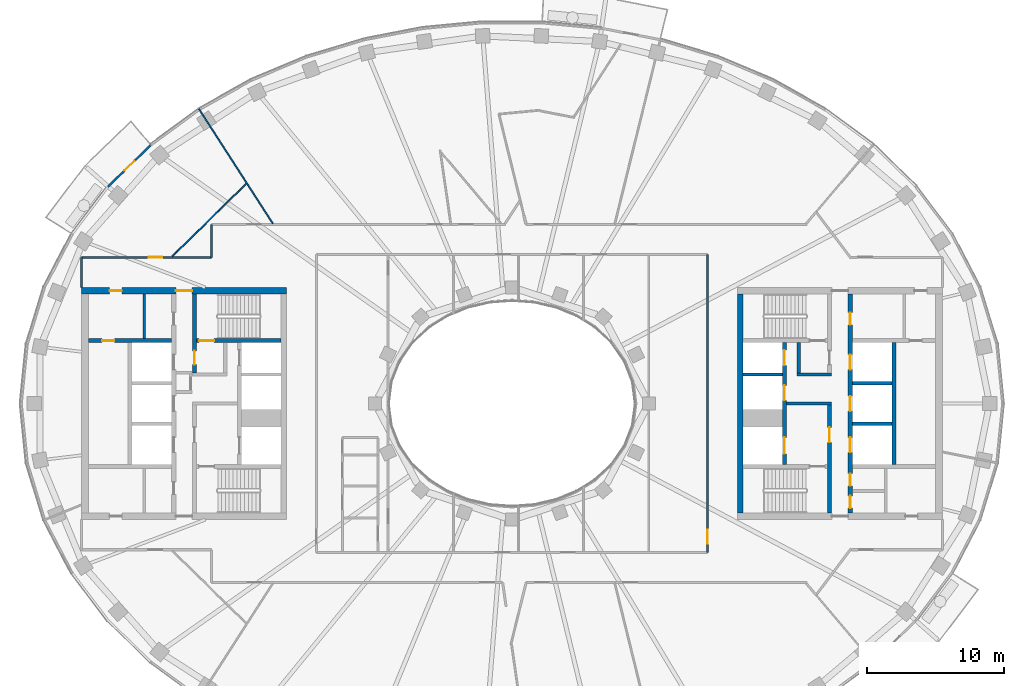
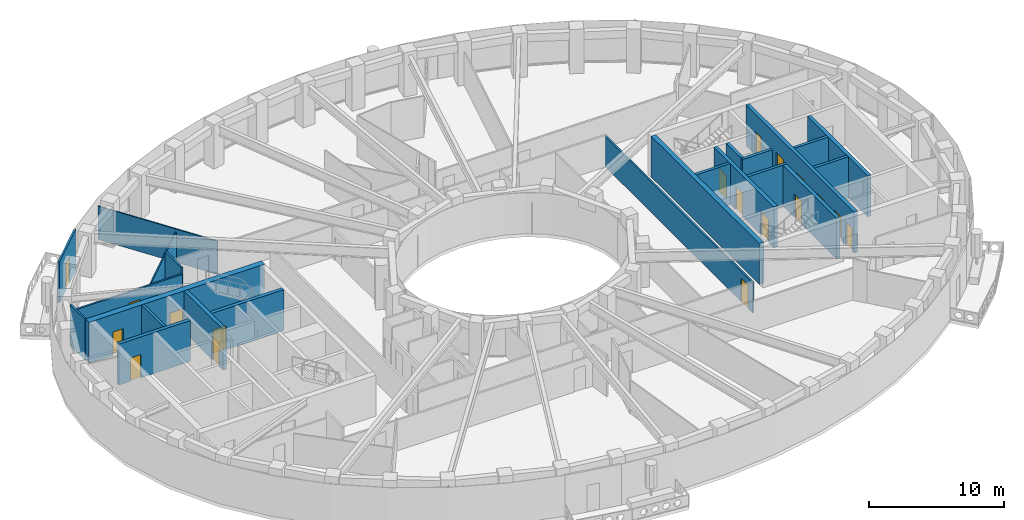
# One storey, part 5 of 16: 23 walls, 18 doors, 18 openings.
"""IFC4 building model written with IfcOpenShell, lengths in metres."""

import ifcopenshell
import ifcopenshell.guid

model = None  # the IFC model being written
_history = None  # IfcOwnerHistory: only IFC2X3 demands one
_inside = {}  # id of a spatial element -> (the spatial element, [elements in it])
_under = {}  # id of a project, library or spatial element -> (it, [spatial elements below it])
_declared = {}  # id of a project -> (the project, [libraries it declares])
_typed = {}  # id of a type object -> (the type object, [elements of that type])
_made_of = {}  # id of a material, layer set ... -> (it, [elements and type objects made of it])


def new_model(schema):
    """Start an empty IFC model of exactly this schema.

    Asked for "IFC4X3", IfcOpenShell would pick the latest addendum, in which some entities
    have other attributes; the version numbers below select the first issue.
    IFC2X3 requires an IfcOwnerHistory on every rooted entity: one is made here for all.
    """
    global model, _history
    if schema == "IFC4X3":
        model = ifcopenshell.file(schema_version=(4, 3, 0, 0))
    else:
        model = ifcopenshell.file(schema=schema)
    _inside.clear()
    _under.clear()
    _declared.clear()
    _typed.clear()
    _made_of.clear()
    _history = None
    if model.schema == "IFC2X3":
        org = make("IfcOrganization", Name="unknown")
        user = make(
            "IfcPersonAndOrganization",
            ThePerson=make("IfcPerson", FamilyName="unknown"),
            TheOrganization=org,
        )
        app = make(
            "IfcApplication",
            ApplicationDeveloper=org,
            Version="unknown",
            ApplicationFullName="unknown",
            ApplicationIdentifier="unknown",
        )
        _history = make(
            "IfcOwnerHistory",
            OwningUser=user,
            OwningApplication=app,
            ChangeAction="ADDED",
            CreationDate=0,
        )
    return model


def make(cls, **values):
    """One entity of the class cls with the attributes given. An attribute that is None is left unset."""
    return model.create_entity(
        cls, **{name: value for name, value in values.items() if value is not None}
    )


def rooted(cls, **values):
    """An entity with a GlobalId (a new one), such as an element, a storey or a relation."""
    return make(cls, GlobalId=ifcopenshell.guid.new(), OwnerHistory=_history, **values)


def si_unit(unit_type, name, prefix=None):
    """IfcSIUnit, for example si_unit("LENGTHUNIT", "METRE", prefix="MILLI")."""
    return make("IfcSIUnit", UnitType=unit_type, Prefix=prefix, Name=name)


def assignment(units):
    """IfcUnitAssignment: the units of a project."""
    return None if units is None else make("IfcUnitAssignment", Units=units)


def point(xyz):
    """IfcCartesianPoint."""
    return None if xyz is None else make("IfcCartesianPoint", Coordinates=xyz)


def direction(xyz):
    """IfcDirection."""
    return None if xyz is None else make("IfcDirection", DirectionRatios=xyz)


def frame(location, z_axis=None, x_axis=None):
    """IfcAxis2Placement3D, a coordinate frame: its origin and axes. An axis left out is left unset."""
    return make(
        "IfcAxis2Placement3D",
        Location=point(location),
        Axis=direction(z_axis),
        RefDirection=direction(x_axis),
    )


def frame_2d(location, x_axis=None):
    """IfcAxis2Placement2D, a coordinate frame in the plane: its origin and x axis."""
    return make(
        "IfcAxis2Placement2D", Location=point(location), RefDirection=direction(x_axis)
    )


def origin():
    """The frame at (0, 0, 0) with its axes left unset."""
    return frame((0.0, 0.0, 0.0))


def place(relative_to, where):
    """IfcLocalPlacement: puts the frame where relative to a parent placement (None: the world)."""
    return make(
        "IfcLocalPlacement", PlacementRelTo=relative_to, RelativePlacement=where
    )


def context(
    kind, dimensions, precision=None, world=None, true_north=None, identifier=None
):
    """IfcGeometricRepresentationContext, for example the 3D "Model" context."""
    return make(
        "IfcGeometricRepresentationContext",
        ContextIdentifier=identifier,
        ContextType=kind,
        CoordinateSpaceDimension=dimensions,
        Precision=precision,
        WorldCoordinateSystem=world,
        TrueNorth=true_north,
    )


def subcontext(parent, identifier, kind, view, scale=None):
    """IfcGeometricRepresentationSubContext, for example "Body" below "Model"."""
    return make(
        "IfcGeometricRepresentationSubContext",
        ContextIdentifier=identifier,
        ContextType=kind,
        ParentContext=parent,
        TargetScale=scale,
        TargetView=view,
    )


def project(units=None, contexts=None):
    """IfcProject with its units and contexts."""
    return rooted(
        "IfcProject",
        Name="project",
        RepresentationContexts=contexts,
        UnitsInContext=assignment(units),
    )


def spatial(cls, under=None, at=None, **own):
    """A site, building, storey or space (cls), placed at a placement, below another one or the project."""
    s = rooted(cls, ObjectPlacement=at, **own)
    if under is not None:
        _under.setdefault(under.id(), (under, []))[1].append(s)
    return s


def profile(cls, at=None, kind="AREA", **sizes):
    """A parametric profile (cls). Its sizes go by their IFC names, for example OverallWidth=200.0."""
    return make(cls, ProfileType=kind, Position=at, **sizes)


def rectangle(**sizes):
    """IfcRectangleProfileDef."""
    return profile("IfcRectangleProfileDef", **sizes)


def extrude(swept, where, along, depth):
    """IfcExtrudedAreaSolid: the profile swept, set in the frame where, extruded along a direction by depth."""
    return make(
        "IfcExtrudedAreaSolid",
        SweptArea=swept,
        Position=where,
        ExtrudedDirection=direction(along),
        Depth=depth,
    )


def shape(context_of_items, identifier, shape_type, items):
    """IfcShapeRepresentation: the items that make up one representation, for example the "Body"."""
    return make(
        "IfcShapeRepresentation",
        ContextOfItems=context_of_items,
        RepresentationIdentifier=identifier,
        RepresentationType=shape_type,
        Items=items,
    )


def material(Name=None, Category=None):
    """IfcMaterial."""
    return make("IfcMaterial", Name=Name, Category=Category)


def layer(
    of_material, thickness, ventilated=None, Name=None, Category=None, Priority=None
):
    """IfcMaterialLayer: one layer of a wall or slab, of a material (None: an air gap)."""
    return make(
        "IfcMaterialLayer",
        Material=of_material,
        LayerThickness=thickness,
        IsVentilated=ventilated,
        Name=Name,
        Category=Category,
        Priority=Priority,
    )


def layer_set(layers, Name=None):
    """IfcMaterialLayerSet."""
    return make("IfcMaterialLayerSet", MaterialLayers=layers, LayerSetName=Name)


def made_of(thing, what):
    """Note that an element or type object is made of a material, layer set ...; save() writes the relation."""
    if what is not None:
        _made_of.setdefault(what.id(), (what, []))[1].append(thing)
    return thing


def type_object(cls, material=None, **own):
    """A type object (cls), such as IfcWallType, which elements share."""
    return made_of(rooted(cls, **own), material)


def element(
    cls,
    number,
    at=None,
    inside=None,
    cuts=None,
    type_object=None,
    material=None,
    context=None,
    identifier="Body",
    shape_type=None,
    held_by="IfcProductDefinitionShape",
    body=None,
    shapes=None,
    **own,
):
    """One element of the class cls, such as IfcWall. Its Tag is "e" and its number.

    at: its placement. inside: the storey or other place that contains it. cuts: it is an
    opening in that element (IfcRelVoidsElement). A single representation is given by context,
    identifier, shape_type and body (its items); several are given by shapes. held_by: the class
    of the entity that holds the representations. save() writes the other relations.
    """
    e = rooted(cls, Tag="e%d" % number, ObjectPlacement=at, **own)
    if body is not None:
        shapes = [shape(context, identifier, shape_type, body)]
    if shapes is not None:
        e.Representation = make(held_by, Representations=shapes)
    if inside is not None:
        _inside.setdefault(inside.id(), (inside, []))[1].append(e)
    if cuts is not None:
        rooted(
            "IfcRelVoidsElement", RelatingBuildingElement=cuts, RelatedOpeningElement=e
        )
    if type_object is not None:
        _typed.setdefault(type_object.id(), (type_object, []))[1].append(e)
    return made_of(e, material)


def fill(opening, filler):
    """IfcRelFillsElement: the door or window that sits in an opening."""
    return rooted(
        "IfcRelFillsElement",
        RelatingOpeningElement=opening,
        RelatedBuildingElement=filler,
    )


def aggregate(whole, parts):
    """IfcRelAggregates: a whole, such as a stair, and the parts it consists of."""
    return rooted("IfcRelAggregates", RelatingObject=whole, RelatedObjects=parts)


def save(model, path):
    """Write the relations noted so far, then the file.

    IfcRelAggregates (storeys below a building ...), IfcRelContainedInSpatialStructure (elements
    in a storey), IfcRelDefinesByType, IfcRelAssociatesMaterial and IfcRelDeclares: one each for
    every whole, place, type object, material and project.
    """
    for whole, parts in _under.values():
        aggregate(whole, parts)
    for where, things in _inside.values():
        rooted(
            "IfcRelContainedInSpatialStructure",
            RelatedElements=things,
            RelatingStructure=where,
        )
    for kind, things in _typed.values():
        rooted("IfcRelDefinesByType", RelatedObjects=things, RelatingType=kind)
    for what, things in _made_of.values():
        rooted("IfcRelAssociatesMaterial", RelatedObjects=things, RelatingMaterial=what)
    for by, libraries in _declared.values():
        rooted("IfcRelDeclares", RelatingContext=by, RelatedDefinitions=libraries)
    model.write(path)


model = new_model("IFC4")

# Units and contexts
model_context = context("Model", 3, precision=1e-05, world=origin(), true_north=direction((0.0, 1.0)))
body_context = subcontext(model_context, "Body", "Model", "MODEL_VIEW")
ifc_project = project(units=[si_unit("LENGTHUNIT", "METRE"), si_unit("AREAUNIT", "SQUARE_METRE"), si_unit("VOLUMEUNIT", "CUBIC_METRE"), si_unit("PLANEANGLEUNIT", "RADIAN"), si_unit("MASSUNIT", "GRAM", prefix="KILO")], contexts=[model_context])

# Site, building, storey
site_placement = place(None, origin())
site = spatial("IfcSite", under=ifc_project, at=site_placement, CompositionType="ELEMENT")
building_placement = place(site_placement, origin())
building = spatial("IfcBuilding", under=site, at=building_placement, Name="Noorbagh Ring Tower", CompositionType="ELEMENT")
storey_placement = place(building_placement, frame((0.0, 0.0, 261.5)))
storey = spatial("IfcBuildingStorey", under=building, at=storey_placement, Name="L55", CompositionType="ELEMENT", Elevation=261.5)

# Walls
ifc_material_1 = material(Name="Gypsum board on steel studs", Category="steel")
ifc_layer_1 = layer(ifc_material_1, 0.199951171875)
ifc_layer_set_1 = layer_set([ifc_layer_1], Name="Gypsum board on steel studs")
wall_type_1 = type_object("IfcWallType", Name="CORE-PARTITION-200", PredefinedType="PARTITIONING", material=ifc_layer_set_1)
wall_1_placement = place(storey_placement, frame((-26.89990234375, 4.75, 0.0), z_axis=(0.0, 0.0, 1.0), x_axis=(0.0, 1.0, 0.0)))
element("IfcWall", 1, at=wall_1_placement, inside=storey, type_object=wall_type_1, Name="Core partition W", PredefinedType="PARTITIONING", context=body_context, shape_type="SweptSolid", body=[
    extrude(rectangle(XDim=3.25, YDim=0.199951171875, at=frame_2d((1.625, 0.0))), origin(), (0.0, 0.0, 1.0), 3.699951171875),
])
ifc_material_2 = material(Name="Concrete C60/75", Category="concrete")
ifc_layer_2 = layer(ifc_material_2, 0.25)
ifc_layer_set_2 = layer_set([ifc_layer_2], Name="Concrete C60/75")
wall_type_2 = type_object("IfcWallType", Name="CORE-WALL-250-C60-75-EI120", PredefinedType="SHEAR", material=ifc_layer_set_2)
for number, where, z_axis, x_axis, name in (
    (2, (16.89990234375, 2.125, 0.0), (0.0, 0.0, 1.0), (1.0, 0.0, 0.0), "Core wall E"),
    (3, (24.89990234375, -1.47509765625, 0.0), (0.0, 0.0, 1.0), (1.0, 0.0, 0.0), "Core wall E"),
    (4, (24.89990234375, 1.47509765625, 0.0), (0.0, 0.0, 1.0), (1.0, 0.0, 0.0), "Core wall E"),
):
    element("IfcWall", number, at=place(storey_placement, frame(where, z_axis=z_axis, x_axis=x_axis)), inside=storey, type_object=wall_type_2, Name=name, PredefinedType="SHEAR", context=body_context, shape_type="SweptSolid", body=[
        extrude(rectangle(XDim=2.900146484375, YDim=0.25, at=frame_2d((1.4501953125, 0.0))), origin(), (0.0, 0.0, 1.0), 3.699951171875),
    ])
ifc_material_3 = material(Name="Concrete C60/75", Category="concrete")
ifc_layer_3 = layer(ifc_material_3, 0.25)
ifc_layer_set_3 = layer_set([ifc_layer_3], Name="Concrete C60/75")
wall_type_3 = type_object("IfcWallType", Name="CORE-WALL-250-C60-75-EI240", PredefinedType="SHEAR", material=ifc_layer_set_3)
wall_2_placement = place(storey_placement, frame((20.10009765625, 0.0, 0.0), z_axis=(0.0, 0.0, 1.0), x_axis=(1.0, 0.0, 0.0)))
element("IfcWall", 5, at=wall_2_placement, inside=storey, type_object=wall_type_3, Name="Core wall E", PredefinedType="SHEAR", context=body_context, shape_type="SweptSolid", body=[
    extrude(rectangle(XDim=3.27978515625, YDim=0.25, at=frame_2d((1.639892578125, 0.0))), origin(), (0.0, 0.0, 1.0), 3.699951171875),
])
wall_3_placement = place(storey_placement, frame((20.85009765625, 2.125, 0.0), z_axis=(0.0, 0.0, 1.0), x_axis=(1.0, 0.0, 0.0)))
element("IfcWall", 6, at=wall_3_placement, inside=storey, type_object=wall_type_3, Name="Core wall E", PredefinedType="SHEAR", context=body_context, shape_type="SweptSolid", body=[
    extrude(rectangle(XDim=2.52978515625, YDim=0.25, at=frame_2d((1.264892578125, 0.0))), origin(), (0.0, 0.0, 1.0), 3.699951171875),
])
wall_4_placement = place(storey_placement, frame((20.97509765625, 2.25, 0.0), z_axis=(0.0, 0.0, 1.0), x_axis=(0.0, 1.0, 0.0)))
element("IfcWall", 7, at=wall_4_placement, inside=storey, type_object=wall_type_3, Name="Core wall E", PredefinedType="SHEAR", context=body_context, shape_type="SweptSolid", body=[
    extrude(rectangle(XDim=2.199951171875, YDim=0.25, at=frame_2d((1.10009765625, 0.0))), origin(), (0.0, 0.0, 1.0), 3.699951171875),
])
ifc_material_4 = material(Name="Concrete C60/75", Category="concrete")
ifc_layer_4 = layer(ifc_material_4, 0.300048828125)
ifc_layer_set_4 = layer_set([ifc_layer_4], Name="Concrete C60/75")
wall_type_4 = type_object("IfcWallType", Name="CORE-WALL-300-C60-75-EI120", PredefinedType="SHEAR", material=ifc_layer_set_4)
wall_5_placement = place(storey_placement, frame((27.949951171875, -4.449951171875, 0.0), z_axis=(0.0, 0.0, 1.0), x_axis=(0.0, 1.0, 0.0)))
element("IfcWall", 8, at=wall_5_placement, inside=storey, type_object=wall_type_4, Name="Core wall E", PredefinedType="SHEAR", context=body_context, shape_type="SweptSolid", body=[
    extrude(rectangle(XDim=8.89990234375, YDim=0.300048828125, at=frame_2d((4.449951171875, 0.0))), origin(), (0.0, 0.0, 1.0), 3.699951171875),
])

# Wall, openings, doors
wall_6_placement = place(storey_placement, frame((19.949951171875, -4.449951171875, 0.0), z_axis=(0.0, 0.0, 1.0), x_axis=(0.0, 1.0, 0.0)))
wall_6 = element("IfcWall", 9, at=wall_6_placement, inside=storey, type_object=wall_type_4, Name="Core wall E", PredefinedType="SHEAR", context=body_context, shape_type="SweptSolid", body=[
    extrude(rectangle(XDim=8.89990234375, YDim=0.300048828125, at=frame_2d((4.449951171875, 0.0))), origin(), (0.0, 0.0, 1.0), 3.699951171875),
])
opening_1_placement = place(wall_6_placement, frame((0.77490234375, 0.0, 0.0)))
opening_1 = element("IfcOpeningElement", 10, at=opening_1_placement, cuts=wall_6, Name="Opening L55-CE01", PredefinedType="OPENING", context=body_context, shape_type="SweptSolid", body=[
    extrude(rectangle(XDim=1.199951171875, YDim=2.10009765625, at=frame_2d((0.60009765625, 1.050048828125))), frame((0.0, 0.16015625, 0.0), z_axis=(0.0, -1.0, 0.0), x_axis=(1.0, 0.0, 0.0)), (0.0, 0.0, 1.0), 0.320068359375),
])
opening_2_placement = place(wall_6_placement, frame((4.675048828125, 0.0, 0.0)))
opening_2 = element("IfcOpeningElement", 11, at=opening_2_placement, cuts=wall_6, Name="Opening L55-CE02", PredefinedType="OPENING", context=body_context, shape_type="SweptSolid", body=[
    extrude(rectangle(XDim=1.10009765625, YDim=2.10009765625, at=frame_2d((0.550048828125, 1.050048828125))), frame((0.0, 0.16015625, 0.0), z_axis=(0.0, -1.0, 0.0), x_axis=(1.0, 0.0, 0.0)), (0.0, 0.0, 1.0), 0.320068359375),
])
opening_3_placement = place(wall_6_placement, frame((7.25, 0.0, 0.0)))
opening_3 = element("IfcOpeningElement", 12, at=opening_3_placement, cuts=wall_6, Name="Opening L55-CE03", PredefinedType="OPENING", context=body_context, shape_type="SweptSolid", body=[
    extrude(rectangle(XDim=1.10009765625, YDim=2.10009765625, at=frame_2d((0.550048828125, 1.050048828125))), frame((0.0, 0.16015625, 0.0), z_axis=(0.0, -1.0, 0.0), x_axis=(1.0, 0.0, 0.0)), (0.0, 0.0, 1.0), 0.320068359375),
])
ifc_material_5 = material(Name="Steel door leaf", Category="steel")
door_type_1 = type_object("IfcDoorType", Name="CORE-DOOR-LD", OperationType="DOUBLE_DOOR_SLIDING", PredefinedType="DOOR", material=ifc_material_5)
door_1_placement = place(opening_2_placement, origin())
door_1 = element("IfcDoor", 13, at=door_1_placement, inside=storey, type_object=door_type_1, Name="Landing door HR7 L55-CE02", OperationType="DOUBLE_DOOR_SLIDING", OverallHeight=2.10009765625, OverallWidth=1.10009765625, PredefinedType="DOOR", context=body_context, shape_type="SweptSolid", body=[
    extrude(rectangle(XDim=1.10009765625, YDim=2.10009765625, at=frame_2d((0.550048828125, 1.050048828125))), frame((0.0, 0.02490234375, 0.0), z_axis=(0.0, -1.0, 0.0), x_axis=(1.0, 0.0, 0.0)), (0.0, 0.0, 1.0), 0.050048828125),
])
fill(opening_2, door_1)
door_2_placement = place(opening_3_placement, origin())
door_2 = element("IfcDoor", 14, at=door_2_placement, inside=storey, type_object=door_type_1, Name="Landing door HR8 L55-CE03", OperationType="DOUBLE_DOOR_SLIDING", OverallHeight=2.10009765625, OverallWidth=1.10009765625, PredefinedType="DOOR", context=body_context, shape_type="SweptSolid", body=[
    extrude(rectangle(XDim=1.10009765625, YDim=2.10009765625, at=frame_2d((0.550048828125, 1.050048828125))), frame((0.0, 0.02490234375, 0.0), z_axis=(0.0, -1.0, 0.0), x_axis=(1.0, 0.0, 0.0)), (0.0, 0.0, 1.0), 0.050048828125),
])
fill(opening_3, door_2)
ifc_material_6 = material(Name="Steel door leaf", Category="steel")
door_type_2 = type_object("IfcDoorType", Name="CORE-DOOR-LDW", OperationType="DOUBLE_DOOR_SLIDING", PredefinedType="DOOR", material=ifc_material_6)
door_3_placement = place(opening_1_placement, origin())
door_3 = element("IfcDoor", 15, at=door_3_placement, inside=storey, type_object=door_type_2, Name="Landing door FF2 L55-CE01", OperationType="DOUBLE_DOOR_SLIDING", OverallHeight=2.10009765625, OverallWidth=1.199951171875, PredefinedType="DOOR", context=body_context, shape_type="SweptSolid", body=[
    extrude(rectangle(XDim=1.199951171875, YDim=2.10009765625, at=frame_2d((0.60009765625, 1.050048828125))), frame((0.0, 0.02490234375, 0.0), z_axis=(0.0, -1.0, 0.0), x_axis=(1.0, 0.0, 0.0)), (0.0, 0.0, 1.0), 0.050048828125),
])
fill(opening_1, door_3)

wall_7_placement = place(storey_placement, frame((24.75, -8.0, 0.0), z_axis=(0.0, 0.0, 1.0), x_axis=(0.0, 1.0, 0.0)))
wall_7 = element("IfcWall", 16, at=wall_7_placement, inside=storey, type_object=wall_type_4, Name="Core wall E", PredefinedType="SHEAR", context=body_context, shape_type="SweptSolid", body=[
    extrude(rectangle(XDim=16.0, YDim=0.300048828125, at=frame_2d((8.0, 0.0))), origin(), (0.0, 0.0, 1.0), 3.699951171875),
])
opening_4_placement = place(wall_7_placement, frame((4.425048828125, 0.0, 0.0)))
opening_4 = element("IfcOpeningElement", 17, at=opening_4_placement, cuts=wall_7, Name="Opening L55-CE04", PredefinedType="OPENING", context=body_context, shape_type="SweptSolid", body=[
    extrude(rectangle(XDim=1.10009765625, YDim=2.10009765625, at=frame_2d((0.550048828125, 1.050048828125))), frame((0.0, 0.16015625, 0.0), z_axis=(0.0, -1.0, 0.0), x_axis=(1.0, 0.0, 0.0)), (0.0, 0.0, 1.0), 0.320068359375),
])
opening_5_placement = place(wall_7_placement, frame((7.449951171875, 0.0, 0.0)))
opening_5 = element("IfcOpeningElement", 18, at=opening_5_placement, cuts=wall_7, Name="Opening L55-CE05", PredefinedType="OPENING", context=body_context, shape_type="SweptSolid", body=[
    extrude(rectangle(XDim=1.10009765625, YDim=2.10009765625, at=frame_2d((0.550048828125, 1.050048828125))), frame((0.0, 0.16015625, 0.0), z_axis=(0.0, -1.0, 0.0), x_axis=(1.0, 0.0, 0.0)), (0.0, 0.0, 1.0), 0.320068359375),
])
opening_6_placement = place(wall_7_placement, frame((10.47509765625, 0.0, 0.0)))
opening_6 = element("IfcOpeningElement", 19, at=opening_6_placement, cuts=wall_7, Name="Opening L55-CE06", PredefinedType="OPENING", context=body_context, shape_type="SweptSolid", body=[
    extrude(rectangle(XDim=1.10009765625, YDim=2.10009765625, at=frame_2d((0.550048828125, 1.050048828125))), frame((0.0, 0.16015625, 0.0), z_axis=(0.0, -1.0, 0.0), x_axis=(1.0, 0.0, 0.0)), (0.0, 0.0, 1.0), 0.320068359375),
])
opening_7_placement = place(wall_7_placement, frame((13.75, 0.0, 0.0)))
opening_7 = element("IfcOpeningElement", 20, at=opening_7_placement, cuts=wall_7, Name="Opening L55-CE13", PredefinedType="OPENING", context=body_context, shape_type="SweptSolid", body=[
    extrude(rectangle(XDim=0.89990234375, YDim=2.10009765625, at=frame_2d((0.449951171875, 1.050048828125))), frame((0.0, 0.16015625, 0.0), z_axis=(0.0, -1.0, 0.0), x_axis=(1.0, 0.0, 0.0)), (0.0, 0.0, 1.0), 0.320068359375),
])
opening_8_placement = place(wall_7_placement, frame((1.97509765625, 0.0, 0.0)))
opening_8 = element("IfcOpeningElement", 21, at=opening_8_placement, cuts=wall_7, Name="Opening L55-CE15", PredefinedType="OPENING", context=body_context, shape_type="SweptSolid", body=[
    extrude(rectangle(XDim=0.89990234375, YDim=2.10009765625, at=frame_2d((0.449951171875, 1.050048828125))), frame((0.0, 0.16015625, 0.0), z_axis=(0.0, -1.0, 0.0), x_axis=(1.0, 0.0, 0.0)), (0.0, 0.0, 1.0), 0.320068359375),
])
opening_9_placement = place(wall_7_placement, frame((0.35009765625, 0.0, 0.0)))
opening_9 = element("IfcOpeningElement", 22, at=opening_9_placement, cuts=wall_7, Name="Opening L55-CE16", PredefinedType="OPENING", context=body_context, shape_type="SweptSolid", body=[
    extrude(rectangle(XDim=0.89990234375, YDim=2.10009765625, at=frame_2d((0.449951171875, 1.050048828125))), frame((0.0, 0.16015625, 0.0), z_axis=(0.0, -1.0, 0.0), x_axis=(1.0, 0.0, 0.0)), (0.0, 0.0, 1.0), 0.320068359375),
])
ifc_material_7 = material(Name="Steel door leaf", Category="steel")
door_type_3 = type_object("IfcDoorType", Name="CORE-DOOR-DROOM", OperationType="SINGLE_SWING_LEFT", PredefinedType="DOOR", material=ifc_material_7)
door_4_placement = place(opening_7_placement, origin())
door_4 = element("IfcDoor", 23, at=door_4_placement, inside=storey, type_object=door_type_3, Name="Core room door L55-CE13", OperationType="SINGLE_SWING_LEFT", OverallHeight=2.10009765625, OverallWidth=0.89990234375, PredefinedType="DOOR", context=body_context, shape_type="SweptSolid", body=[
    extrude(rectangle(XDim=0.89990234375, YDim=2.10009765625, at=frame_2d((0.449951171875, 1.050048828125))), frame((0.0, 0.02490234375, 0.0), z_axis=(0.0, -1.0, 0.0), x_axis=(1.0, 0.0, 0.0)), (0.0, 0.0, 1.0), 0.050048828125),
])
fill(opening_7, door_4)
door_5_placement = place(opening_8_placement, origin())
door_5 = element("IfcDoor", 24, at=door_5_placement, inside=storey, type_object=door_type_3, Name="Core room door L55-CE15", OperationType="SINGLE_SWING_LEFT", OverallHeight=2.10009765625, OverallWidth=0.89990234375, PredefinedType="DOOR", context=body_context, shape_type="SweptSolid", body=[
    extrude(rectangle(XDim=0.89990234375, YDim=2.10009765625, at=frame_2d((0.449951171875, 1.050048828125))), frame((0.0, 0.02490234375, 0.0), z_axis=(0.0, -1.0, 0.0), x_axis=(1.0, 0.0, 0.0)), (0.0, 0.0, 1.0), 0.050048828125),
])
fill(opening_8, door_5)
door_6_placement = place(opening_9_placement, origin())
door_6 = element("IfcDoor", 25, at=door_6_placement, inside=storey, type_object=door_type_3, Name="Core room door L55-CE16", OperationType="SINGLE_SWING_RIGHT", OverallHeight=2.10009765625, OverallWidth=0.89990234375, PredefinedType="DOOR", context=body_context, shape_type="SweptSolid", body=[
    extrude(rectangle(XDim=0.89990234375, YDim=2.10009765625, at=frame_2d((0.449951171875, 1.050048828125))), frame((0.0, 0.02490234375, 0.0), z_axis=(0.0, -1.0, 0.0), x_axis=(1.0, 0.0, 0.0)), (0.0, 0.0, 1.0), 0.050048828125),
])
fill(opening_9, door_6)
door_7_placement = place(opening_4_placement, origin())
door_7 = element("IfcDoor", 26, at=door_7_placement, inside=storey, type_object=door_type_1, Name="Landing door HR9 L55-CE04", OperationType="DOUBLE_DOOR_SLIDING", OverallHeight=2.10009765625, OverallWidth=1.10009765625, PredefinedType="DOOR", context=body_context, shape_type="SweptSolid", body=[
    extrude(rectangle(XDim=1.10009765625, YDim=2.10009765625, at=frame_2d((0.550048828125, 1.050048828125))), frame((0.0, 0.02490234375, 0.0), z_axis=(0.0, -1.0, 0.0), x_axis=(1.0, 0.0, 0.0)), (0.0, 0.0, 1.0), 0.050048828125),
])
fill(opening_4, door_7)
door_8_placement = place(opening_5_placement, origin())
door_8 = element("IfcDoor", 27, at=door_8_placement, inside=storey, type_object=door_type_1, Name="Landing door HR10 L55-CE05", OperationType="DOUBLE_DOOR_SLIDING", OverallHeight=2.10009765625, OverallWidth=1.10009765625, PredefinedType="DOOR", context=body_context, shape_type="SweptSolid", body=[
    extrude(rectangle(XDim=1.10009765625, YDim=2.10009765625, at=frame_2d((0.550048828125, 1.050048828125))), frame((0.0, 0.02490234375, 0.0), z_axis=(0.0, -1.0, 0.0), x_axis=(1.0, 0.0, 0.0)), (0.0, 0.0, 1.0), 0.050048828125),
])
fill(opening_5, door_8)
door_9_placement = place(opening_6_placement, origin())
door_9 = element("IfcDoor", 28, at=door_9_placement, inside=storey, type_object=door_type_1, Name="Landing door HR11 L55-CE06", OperationType="DOUBLE_DOOR_SLIDING", OverallHeight=2.10009765625, OverallWidth=1.10009765625, PredefinedType="DOOR", context=body_context, shape_type="SweptSolid", body=[
    extrude(rectangle(XDim=1.10009765625, YDim=2.10009765625, at=frame_2d((0.550048828125, 1.050048828125))), frame((0.0, 0.02490234375, 0.0), z_axis=(0.0, -1.0, 0.0), x_axis=(1.0, 0.0, 0.0)), (0.0, 0.0, 1.0), 0.050048828125),
])
fill(opening_6, door_9)

# Wall, opening, door
ifc_material_8 = material(Name="Concrete C60/75", Category="concrete")
ifc_layer_5 = layer(ifc_material_8, 0.300048828125)
ifc_layer_set_5 = layer_set([ifc_layer_5], Name="Concrete C60/75")
wall_type_5 = type_object("IfcWallType", Name="CORE-WALL-300-C60-75-EI240", PredefinedType="SHEAR", material=ifc_layer_set_5)
wall_8_placement = place(storey_placement, frame((-24.89990234375, 4.60009765625, 0.0), z_axis=(0.0, 0.0, 1.0), x_axis=(-1.0, 0.0, 0.0)))
wall_8 = element("IfcWall", 29, at=wall_8_placement, inside=storey, type_object=wall_type_5, Name="Core wall W", PredefinedType="SHEAR", context=body_context, shape_type="SweptSolid", body=[
    extrude(rectangle(XDim=6.10009765625, YDim=0.300048828125, at=frame_2d((3.050048828125, 0.0))), origin(), (0.0, 0.0, 1.0), 3.699951171875),
])
opening_10_placement = place(wall_8_placement, frame((4.199951171875, 0.0, 0.0)))
opening_10 = element("IfcOpeningElement", 30, at=opening_10_placement, cuts=wall_8, Name="Opening L55-CW17", PredefinedType="OPENING", context=body_context, shape_type="SweptSolid", body=[
    extrude(rectangle(XDim=0.89990234375, YDim=2.10009765625, at=frame_2d((0.449951171875, 1.050048828125))), frame((0.0, 0.16015625, 0.0), z_axis=(0.0, -1.0, 0.0), x_axis=(1.0, 0.0, 0.0)), (0.0, 0.0, 1.0), 0.320068359375),
])
door_10_placement = place(opening_10_placement, origin())
door_10 = element("IfcDoor", 31, at=door_10_placement, inside=storey, type_object=door_type_3, Name="Core room door L55-CW17", OperationType="SINGLE_SWING_LEFT", OverallHeight=2.10009765625, OverallWidth=0.89990234375, PredefinedType="DOOR", context=body_context, shape_type="SweptSolid", body=[
    extrude(rectangle(XDim=0.89990234375, YDim=2.10009765625, at=frame_2d((0.449951171875, 1.050048828125))), frame((0.0, 0.02490234375, 0.0), z_axis=(0.0, -1.0, 0.0), x_axis=(1.0, 0.0, 0.0)), (0.0, 0.0, 1.0), 0.050048828125),
])
fill(opening_10, door_10)

wall_9_placement = place(storey_placement, frame((-23.22998046875, 2.25, 0.0), z_axis=(0.0, 0.0, 1.0), x_axis=(0.0, 1.0, 0.0)))
wall_9 = element("IfcWall", 32, at=wall_9_placement, inside=storey, type_object=wall_type_5, Name="Core wall W", PredefinedType="SHEAR", context=body_context, shape_type="SweptSolid", body=[
    extrude(rectangle(XDim=5.75, YDim=0.300048828125, at=frame_2d((2.875, 0.0))), origin(), (0.0, 0.0, 1.0), 3.699951171875),
])
opening_11_placement = place(wall_9_placement, frame((0.60009765625, 0.0, 0.0)))
opening_11 = element("IfcOpeningElement", 33, at=opening_11_placement, cuts=wall_9, Name="Opening L55-CW09", PredefinedType="OPENING", context=body_context, shape_type="SweptSolid", body=[
    extrude(rectangle(XDim=1.0, YDim=2.10009765625, at=frame_2d((0.5, 1.050048828125))), frame((0.0, 0.16015625, 0.0), z_axis=(0.0, -1.0, 0.0), x_axis=(1.0, 0.0, 0.0)), (0.0, 0.0, 1.0), 0.320068359375),
])
ifc_material_9 = material(Name="Steel door leaf", Category="steel")
door_type_4 = type_object("IfcDoorType", Name="CORE-DOOR-DVEST", OperationType="SINGLE_SWING_LEFT", PredefinedType="DOOR", material=ifc_material_9)
door_11_placement = place(opening_11_placement, origin())
door_11 = element("IfcDoor", 34, at=door_11_placement, inside=storey, type_object=door_type_4, Name="Stair vestibule door L55-CW09", OperationType="SINGLE_SWING_LEFT", OverallHeight=2.10009765625, OverallWidth=1.0, PredefinedType="DOOR", context=body_context, shape_type="SweptSolid", body=[
    extrude(rectangle(XDim=1.0, YDim=2.10009765625, at=frame_2d((0.5, 1.050048828125))), frame((0.0, 0.02490234375, 0.0), z_axis=(0.0, -1.0, 0.0), x_axis=(1.0, 0.0, 0.0)), (0.0, 0.0, 1.0), 0.050048828125),
])
fill(opening_11, door_11)

wall_10_placement = place(storey_placement, frame((-16.89990234375, 4.60009765625, 0.0), z_axis=(0.0, 0.0, 1.0), x_axis=(-1.0, 0.0, 0.0)))
wall_10 = element("IfcWall", 35, at=wall_10_placement, inside=storey, type_object=wall_type_5, Name="Core wall W", PredefinedType="SHEAR", context=body_context, shape_type="SweptSolid", body=[
    extrude(rectangle(XDim=6.18017578125, YDim=0.300048828125, at=frame_2d((3.090087890625, 0.0))), origin(), (0.0, 0.0, 1.0), 3.699951171875),
])
opening_12_placement = place(wall_10_placement, frame((4.89990234375, 0.0, 0.0)))
opening_12 = element("IfcOpeningElement", 36, at=opening_12_placement, cuts=wall_10, Name="Opening L55-CW06", PredefinedType="OPENING", context=body_context, shape_type="SweptSolid", body=[
    extrude(rectangle(XDim=1.10009765625, YDim=2.10009765625, at=frame_2d((0.550048828125, 1.050048828125))), frame((0.0, 0.16015625, 0.0), z_axis=(0.0, -1.0, 0.0), x_axis=(1.0, 0.0, 0.0)), (0.0, 0.0, 1.0), 0.320068359375),
])
ifc_material_10 = material(Name="Steel door leaf", Category="steel")
door_type_5 = type_object("IfcDoorType", Name="CORE-DOOR-DSTAIR", OperationType="SINGLE_SWING_LEFT", PredefinedType="DOOR", material=ifc_material_10)
door_12_placement = place(opening_12_placement, origin())
door_12 = element("IfcDoor", 37, at=door_12_placement, inside=storey, type_object=door_type_5, Name="Stair door ST1 L55-CW06", OperationType="SINGLE_SWING_RIGHT", OverallHeight=2.10009765625, OverallWidth=1.10009765625, PredefinedType="DOOR", context=body_context, shape_type="SweptSolid", body=[
    extrude(rectangle(XDim=1.10009765625, YDim=2.10009765625, at=frame_2d((0.550048828125, 1.050048828125))), frame((0.0, 0.02490234375, 0.0), z_axis=(0.0, -1.0, 0.0), x_axis=(1.0, 0.0, 0.0)), (0.0, 0.0, 1.0), 0.050048828125),
])
fill(opening_12, door_12)

wall_11_placement = place(storey_placement, frame((23.22998046875, -8.0, 0.0), z_axis=(0.0, 0.0, 1.0), x_axis=(0.0, 1.0, 0.0)))
wall_11 = element("IfcWall", 38, at=wall_11_placement, inside=storey, type_object=wall_type_5, Name="Core wall E", PredefinedType="SHEAR", context=body_context, shape_type="SweptSolid", body=[
    extrude(rectangle(XDim=7.875, YDim=0.300048828125, at=frame_2d((3.9375, 0.0))), origin(), (0.0, 0.0, 1.0), 3.699951171875),
])
opening_13_placement = place(wall_11_placement, frame((5.14990234375, 0.0, 0.0)))
opening_13 = element("IfcOpeningElement", 39, at=opening_13_placement, cuts=wall_11, Name="Opening L55-CE09", PredefinedType="OPENING", context=body_context, shape_type="SweptSolid", body=[
    extrude(rectangle(XDim=1.10009765625, YDim=2.10009765625, at=frame_2d((0.550048828125, 1.050048828125))), frame((0.0, 0.16015625, 0.0), z_axis=(0.0, -1.0, 0.0), x_axis=(1.0, 0.0, 0.0)), (0.0, 0.0, 1.0), 0.320068359375),
])
ifc_material_11 = material(Name="Steel door leaf", Category="steel")
door_type_6 = type_object("IfcDoorType", Name="CORE-DOOR-DFF", OperationType="SINGLE_SWING_LEFT", PredefinedType="DOOR", material=ifc_material_11)
door_13_placement = place(opening_13_placement, origin())
door_13 = element("IfcDoor", 40, at=door_13_placement, inside=storey, type_object=door_type_6, Name="Firefighting lobby door L55-CE09", OperationType="SINGLE_SWING_RIGHT", OverallHeight=2.10009765625, OverallWidth=1.10009765625, PredefinedType="DOOR", context=body_context, shape_type="SweptSolid", body=[
    extrude(rectangle(XDim=1.10009765625, YDim=2.10009765625, at=frame_2d((0.550048828125, 1.050048828125))), frame((0.0, 0.02490234375, 0.0), z_axis=(0.0, -1.0, 0.0), x_axis=(1.0, 0.0, 0.0)), (0.0, 0.0, 1.0), 0.050048828125),
])
fill(opening_13, door_13)

# Wall
ifc_material_12 = material(Name="Concrete C60/75", Category="concrete")
ifc_layer_6 = layer(ifc_material_12, 0.39990234375)
ifc_layer_set_6 = layer_set([ifc_layer_6], Name="Concrete C60/75")
wall_type_6 = type_object("IfcWallType", Name="CORE-WALL-400-C60-75-EI240", PredefinedType="SHEAR", material=ifc_layer_set_6)
wall_12_placement = place(storey_placement, frame((16.699951171875, -8.0, 0.0), z_axis=(0.0, 0.0, 1.0), x_axis=(0.0, 1.0, 0.0)))
element("IfcWall", 41, at=wall_12_placement, inside=storey, type_object=wall_type_6, Name="Core wall E", PredefinedType="SHEAR", context=body_context, shape_type="SweptSolid", body=[
    extrude(rectangle(XDim=16.0, YDim=0.39990234375, at=frame_2d((8.0, 0.0))), origin(), (0.0, 0.0, 1.0), 3.699951171875),
])

# Wall, openings, doors
ifc_material_13 = material(Name="Concrete C60/75", Category="concrete")
ifc_layer_7 = layer(ifc_material_13, 0.5)
ifc_layer_set_7 = layer_set([ifc_layer_7], Name="Concrete C60/75")
wall_type_7 = type_object("IfcWallType", Name="CORE-WALL-500-C60-75-EI240", PredefinedType="SHEAR", material=ifc_layer_set_7)
wall_13_placement = place(storey_placement, frame((-16.5, 8.25, 0.0), z_axis=(0.0, 0.0, 1.0), x_axis=(-1.0, 0.0, 0.0)))
wall_13 = element("IfcWall", 42, at=wall_13_placement, inside=storey, type_object=wall_type_7, Name="Core wall W", PredefinedType="SHEAR", context=body_context, shape_type="SweptSolid", body=[
    extrude(rectangle(XDim=15.0, YDim=0.5, at=frame_2d((7.5, 0.0))), origin(), (0.0, 0.0, 1.0), 3.699951171875),
])
opening_14_placement = place(wall_13_placement, frame((6.89990234375, 0.0, 0.0)))
opening_14 = element("IfcOpeningElement", 43, at=opening_14_placement, cuts=wall_13, Name="Opening L55-CW10", PredefinedType="OPENING", context=body_context, shape_type="SweptSolid", body=[
    extrude(rectangle(XDim=1.199951171875, YDim=2.10009765625, at=frame_2d((0.60009765625, 1.050048828125))), frame((0.0, 0.260009765625, 0.0), z_axis=(0.0, -1.0, 0.0), x_axis=(1.0, 0.0, 0.0)), (0.0, 0.0, 1.0), 0.52001953125),
])
opening_15_placement = place(wall_13_placement, frame((12.050048828125, 0.0, 0.0)))
opening_15 = element("IfcOpeningElement", 44, at=opening_15_placement, cuts=wall_13, Name="Opening L55-CW13", PredefinedType="OPENING", context=body_context, shape_type="SweptSolid", body=[
    extrude(rectangle(XDim=0.89990234375, YDim=2.10009765625, at=frame_2d((0.449951171875, 1.050048828125))), frame((0.0, 0.260009765625, 0.0), z_axis=(0.0, -1.0, 0.0), x_axis=(1.0, 0.0, 0.0)), (0.0, 0.0, 1.0), 0.52001953125),
])
door_14_placement = place(opening_15_placement, origin())
door_14 = element("IfcDoor", 45, at=door_14_placement, inside=storey, type_object=door_type_3, Name="Core room door L55-CW13", OperationType="SINGLE_SWING_RIGHT", OverallHeight=2.10009765625, OverallWidth=0.89990234375, PredefinedType="DOOR", context=body_context, shape_type="SweptSolid", body=[
    extrude(rectangle(XDim=0.89990234375, YDim=2.10009765625, at=frame_2d((0.449951171875, 1.050048828125))), frame((0.0, 0.02490234375, 0.0), z_axis=(0.0, -1.0, 0.0), x_axis=(1.0, 0.0, 0.0)), (0.0, 0.0, 1.0), 0.050048828125),
])
fill(opening_15, door_14)
ifc_material_14 = material(Name="Steel door leaf", Category="steel")
door_type_7 = type_object("IfcDoorType", Name="CORE-DOOR-PORT", OperationType="DOUBLE_DOOR_DOUBLE_SWING", PredefinedType="DOOR", material=ifc_material_14)
door_15_placement = place(opening_14_placement, origin())
door_15 = element("IfcDoor", 46, at=door_15_placement, inside=storey, type_object=door_type_7, Name="Core entrance door L55-CW10", OperationType="DOUBLE_DOOR_DOUBLE_SWING", OverallHeight=2.10009765625, OverallWidth=1.199951171875, PredefinedType="DOOR", context=body_context, shape_type="SweptSolid", body=[
    extrude(rectangle(XDim=1.199951171875, YDim=2.10009765625, at=frame_2d((0.60009765625, 1.050048828125))), frame((0.0, 0.02490234375, 0.0), z_axis=(0.0, -1.0, 0.0), x_axis=(1.0, 0.0, 0.0)), (0.0, 0.0, 1.0), 0.050048828125),
])
fill(opening_14, door_15)

# Wall
ifc_material_15 = material(Name="Gypsum board on steel studs", Category="steel")
ifc_layer_8 = layer(ifc_material_15, 0.14990234375)
ifc_layer_set_8 = layer_set([ifc_layer_8], Name="Gypsum board on steel studs")
wall_type_8 = type_object("IfcWallType", Name="CORRIDOR PARTITION 150 EI 30", PredefinedType="PARTITIONING", material=ifc_layer_set_8)
wall_14_placement = place(storey_placement, frame((-31.5, 8.5, 0.0), z_axis=(0.0, 0.0, 1.0), x_axis=(0.0, 1.0, 0.0)))
element("IfcWall", 47, at=wall_14_placement, inside=storey, type_object=wall_type_8, Name="L55/wall/P04", PredefinedType="PARTITIONING", context=body_context, shape_type="SweptSolid", body=[
    extrude(rectangle(XDim=2.199951171875, YDim=0.14990234375, at=frame_2d((1.10009765625, 0.0))), origin(), (0.0, 0.0, 1.0), 3.699951171875),
])

# Wall, opening, door
wall_15_placement = place(storey_placement, frame((-31.5, 10.699951171875, 0.0), z_axis=(0.0, 0.0, 1.0), x_axis=(1.0, 0.0, 0.0)))
wall_15 = element("IfcWall", 48, at=wall_15_placement, inside=storey, type_object=wall_type_8, Name="L55/wall/P05", PredefinedType="PARTITIONING", context=body_context, shape_type="SweptSolid", body=[
    extrude(rectangle(XDim=9.5, YDim=0.14990234375, at=frame_2d((4.75, 0.0))), origin(), (0.0, 0.0, 1.0), 3.10009765625),
])
opening_16_placement = place(wall_15_placement, frame((4.909912109375, 0.0, 0.0)))
opening_16 = element("IfcOpeningElement", 49, at=opening_16_placement, cuts=wall_15, Name="Opening D1", PredefinedType="OPENING", context=body_context, shape_type="SweptSolid", body=[
    extrude(rectangle(XDim=1.0, YDim=2.10009765625, at=frame_2d((0.5, 1.050048828125))), frame((0.0, 0.0849609375, 0.0), z_axis=(0.0, -1.0, 0.0), x_axis=(1.0, 0.0, 0.0)), (0.0, 0.0, 1.0), 0.169921875),
])
ifc_material_16 = material(Name="Timber, painted", Category="wood")
door_type_8 = type_object("IfcDoorType", Name="DOOR 1000 X 2100 FD30", OperationType="SINGLE_SWING_LEFT", PredefinedType="DOOR", material=ifc_material_16)
door_16_placement = place(opening_16_placement, origin())
door_16 = element("IfcDoor", 50, at=door_16_placement, inside=storey, type_object=door_type_8, Name="L55-D07", OperationType="SINGLE_SWING_LEFT", OverallHeight=2.10009765625, OverallWidth=1.0, PredefinedType="DOOR", context=body_context, shape_type="SweptSolid", body=[
    extrude(rectangle(XDim=1.0, YDim=2.10009765625, at=frame_2d((0.5, 1.050048828125))), frame((0.0, 0.02490234375, 0.0), z_axis=(0.0, -1.0, 0.0), x_axis=(1.0, 0.0, 0.0)), (0.0, 0.0, 1.0), 0.050048828125),
])
fill(opening_16, door_16)

# Wall
wall_16_placement = place(storey_placement, frame((-22.0, 10.699951171875, 0.0), z_axis=(0.0, 0.0, 1.0), x_axis=(0.0, 1.0, 0.0)))
element("IfcWall", 51, at=wall_16_placement, inside=storey, type_object=wall_type_8, Name="L55/wall/P12", PredefinedType="PARTITIONING", context=body_context, shape_type="SweptSolid", body=[
    extrude(rectangle(XDim=2.400146484375, YDim=0.14990234375, at=frame_2d((1.2001953125, 0.0))), origin(), (0.0, 0.0, 1.0), 3.699951171875),
])

# Wall, opening, door
wall_17_placement = place(storey_placement, frame((14.300048828125, -10.89990234375, 0.0), z_axis=(0.0, 0.0, 1.0), x_axis=(0.0, 1.0, 0.0)))
wall_17 = element("IfcWall", 52, at=wall_17_placement, inside=storey, type_object=wall_type_8, Name="L55/wall/P53", PredefinedType="PARTITIONING", context=body_context, shape_type="SweptSolid", body=[
    extrude(rectangle(XDim=21.7998046875, YDim=0.14990234375, at=frame_2d((10.89990234375, 0.0))), origin(), (0.0, 0.0, 1.0), 2.75),
])
opening_17_placement = place(wall_17_placement, frame((0.64990234375, 0.0, 0.0)))
opening_17 = element("IfcOpeningElement", 53, at=opening_17_placement, cuts=wall_17, Name="Opening D1", PredefinedType="OPENING", context=body_context, shape_type="SweptSolid", body=[
    extrude(rectangle(XDim=1.0, YDim=2.10009765625, at=frame_2d((0.5, 1.050048828125))), frame((0.0, 0.0849609375, 0.0), z_axis=(0.0, -1.0, 0.0), x_axis=(1.0, 0.0, 0.0)), (0.0, 0.0, 1.0), 0.169921875),
])
door_17_placement = place(opening_17_placement, origin())
door_17 = element("IfcDoor", 54, at=door_17_placement, inside=storey, type_object=door_type_8, Name="L55-D26", OperationType="SINGLE_SWING_RIGHT", OverallHeight=2.10009765625, OverallWidth=1.0, PredefinedType="DOOR", context=body_context, shape_type="SweptSolid", body=[
    extrude(rectangle(XDim=1.0, YDim=2.10009765625, at=frame_2d((0.5, 1.050048828125))), frame((0.0, 0.02490234375, 0.0), z_axis=(0.0, -1.0, 0.0), x_axis=(1.0, 0.0, 0.0)), (0.0, 0.0, 1.0), 0.050048828125),
])
fill(opening_17, door_17)

ifc_material_17 = material(Name="Insulated aluminium clad panel", Category="aluminium")
ifc_layer_9 = layer(ifc_material_17, 0.14990234375)
ifc_layer_set_9 = layer_set([ifc_layer_9], Name="Insulated aluminium clad panel")
wall_type_9 = type_object("IfcWallType", Name="ENV-WALL-DOOR", PredefinedType="STANDARD", material=ifc_layer_set_9)
wall_18_placement = place(storey_placement, frame((-26.396484375, 18.943359375, 0.0), z_axis=(0.0, 0.0, 1.0), x_axis=(-0.717214761864, -0.696852197647, 0.0)))
wall_18 = element("IfcWall", 55, at=wall_18_placement, inside=storey, type_object=wall_type_9, Name="Balcony door wall chord 19", PredefinedType="STANDARD", context=body_context, shape_type="SweptSolid", body=[
    extrude(rectangle(XDim=4.424072265625, YDim=0.14990234375, at=frame_2d((2.2119140625, 0.0))), origin(), (0.0, 0.0, 1.0), 3.699951171875),
])
opening_18_placement = place(wall_18_placement, frame((1.712158203125, 0.0, 0.0)))
opening_18 = element("IfcOpeningElement", 56, at=opening_18_placement, cuts=wall_18, Name="Opening D-BL", PredefinedType="OPENING", context=body_context, shape_type="SweptSolid", body=[
    extrude(rectangle(XDim=1.0, YDim=2.39990234375, at=frame_2d((0.5, 1.199951171875))), frame((0.0, 0.0849609375, 0.0), z_axis=(0.0, -1.0, 0.0), x_axis=(1.0, 0.0, 0.0)), (0.0, 0.0, 1.0), 0.169921875),
])
ifc_material_18 = material(Name="Aluminium and glass", Category="aluminium")
door_type_9 = type_object("IfcDoorType", Name="ENV-DOOR-BALCONY", OperationType="SINGLE_SWING_LEFT", PredefinedType="DOOR", material=ifc_material_18)
door_18_placement = place(opening_18_placement, origin())
door_18 = element("IfcDoor", 57, at=door_18_placement, inside=storey, type_object=door_type_9, Name="Balcony door chord 19", OperationType="SINGLE_SWING_RIGHT", OverallHeight=2.39990234375, OverallWidth=1.0, PredefinedType="DOOR", context=body_context, shape_type="SweptSolid", body=[
    extrude(rectangle(XDim=1.0, YDim=2.39990234375, at=frame_2d((0.5, 1.199951171875))), frame((0.0, 0.02490234375, 0.0), z_axis=(0.0, -1.0, 0.0), x_axis=(1.0, 0.0, 0.0)), (0.0, 0.0, 1.0), 0.050048828125),
])
fill(opening_18, door_18)

# Walls
ifc_material_19 = material(Name="Gypsum board on steel studs", Category="steel")
ifc_layer_10 = layer(ifc_material_19, 0.10009765625)
ifc_layer_set_10 = layer_set([ifc_layer_10], Name="Gypsum board on steel studs")
wall_type_10 = type_object("IfcWallType", Name="PARTITION 100 GYPSUM", PredefinedType="PARTITIONING", material=ifc_layer_set_10)
wall_19_placement = place(storey_placement, frame((-24.865966796875, 10.778076171875, 0.0), z_axis=(0.0, 0.0, 1.0), x_axis=(0.715632814242, 0.698476681916, 0.0)))
element("IfcWall", 58, at=wall_19_placement, inside=storey, type_object=wall_type_10, Name="L55/wall/P07", PredefinedType="PARTITIONING", context=body_context, shape_type="SweptSolid", body=[
    extrude(rectangle(XDim=7.5849609375, YDim=0.10009765625, at=frame_2d((3.79248046875, 0.0))), origin(), (0.0, 0.0, 1.0), 2.75),
])
wall_20_placement = place(storey_placement, frame((-22.905029296875, 21.5419921875, 0.0), z_axis=(0.0, 0.0, 1.0), x_axis=(0.542277075573, -0.840199722273, 0.0)))
element("IfcWall", 59, at=wall_20_placement, inside=storey, type_object=wall_type_10, Name="L55/wall/P09", PredefinedType="PARTITIONING", context=body_context, shape_type="SweptSolid", body=[
    extrude(rectangle(XDim=9.958251953125, YDim=0.10009765625, at=frame_2d((4.97900390625, 0.0))), origin(), (0.0, 0.0, 1.0), 3.0),
])

save(model, "model.ifc")
